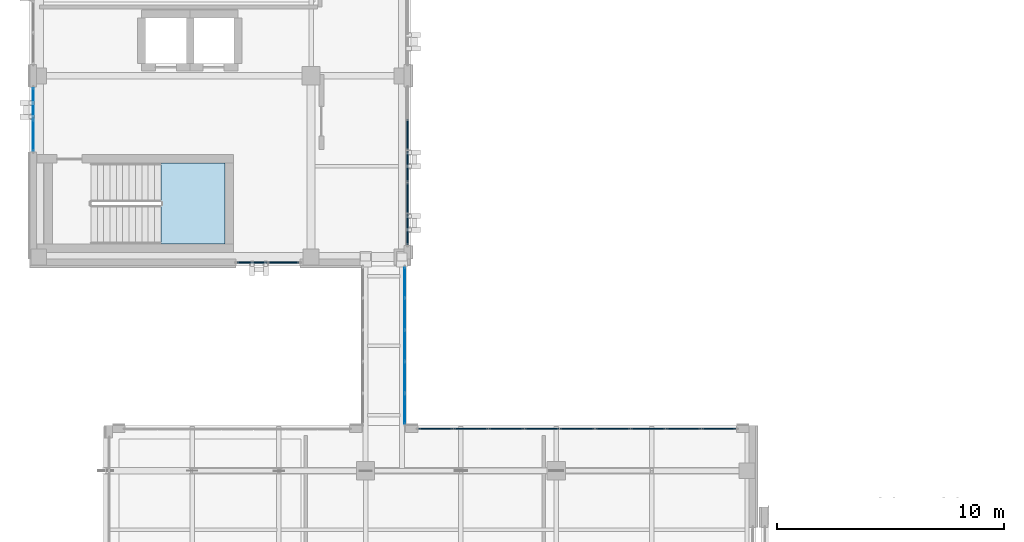
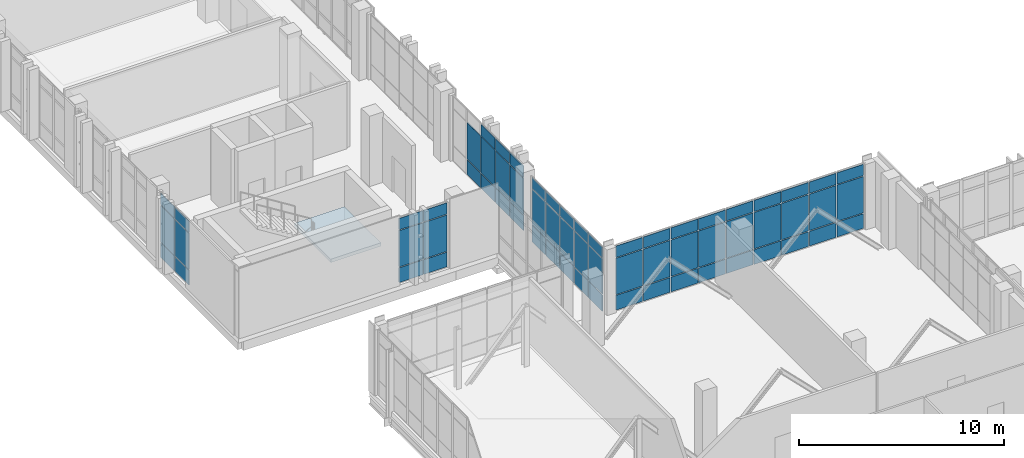
# One storey, part 134 of 193: 65 plates, 1 slab, 6 elements without a shape of their own.
"""IFC4 building model written with IfcOpenShell, lengths in metres."""

from ifc_helpers import new_model, si_unit, direction, frame, origin, origin_2d, place, context, subcontext, project, spatial, polyline, rectangle, outline, extrude, material, layer, layer_set, type_object, element, aggregate, save


model = new_model("IFC4")

# Units and contexts
model_context = context("Model", 3, precision=1e-05, world=origin(), true_north=direction((0.0, 1.0)))
body_context = subcontext(model_context, "Body", "Model", "MODEL_VIEW")
ifc_project = project(units=[si_unit("LENGTHUNIT", "METRE"), si_unit("AREAUNIT", "SQUARE_METRE"), si_unit("VOLUMEUNIT", "CUBIC_METRE"), si_unit("PLANEANGLEUNIT", "RADIAN"), si_unit("MASSUNIT", "GRAM", prefix="KILO")], contexts=[model_context])

# Site, building, storey
site_placement = place(None, origin())
site = spatial("IfcSite", under=ifc_project, at=site_placement, CompositionType="ELEMENT")
building_placement = place(site_placement, origin())
building = spatial("IfcBuilding", under=site, at=building_placement, Name="Qalavern Law Courts", CompositionType="ELEMENT")
storey_placement = place(building_placement, frame((0.0, 0.0, 10.199951171875)))
storey = spatial("IfcBuildingStorey", under=building, at=storey_placement, Name="L02", CompositionType="ELEMENT", Elevation=10.199951171875)

# Curtain wall, plates
ifc_material_1 = material(Name="Anodised aluminium and insulated glazing", Category="aluminium")
ifc_layer_1 = layer(ifc_material_1, 0.14990234375)
ifc_layer_set_1 = layer_set([ifc_layer_1], Name="Anodised aluminium and insulated glazing")
curtain_wall_type_1 = type_object("IfcCurtainWallType", Name="ENV-CW-BRG", PredefinedType="USERDEFINED", material=ifc_layer_set_1)
curtain_wall_1_placement = place(storey_placement, origin())
curtain_wall_1 = element("IfcCurtainWall", 1, at=curtain_wall_1_placement, inside=storey, type_object=curtain_wall_type_1, Name="Bridge BR-V1-V3 glazed curtain wall L02-2", ObjectType="UNITISED CURTAIN WALL", PredefinedType="USERDEFINED")
ifc_material_2 = material(Name="Insulated low-E acoustic glazing", Category="glass")
ifc_layer_2 = layer(ifc_material_2, 0.031982421875)
ifc_layer_set_2 = layer_set([ifc_layer_2], Name="Insulated low-E acoustic glazing")
plate_type_1 = type_object("IfcPlateType", Name="ENV-CWP-32", PredefinedType="CURTAIN_PANEL", material=ifc_layer_set_2)
plate_1_placement = place(storey_placement, frame((18.52490234375, 34.72998046875, 0.048095703125), z_axis=(0.0, 0.0, 1.0), x_axis=(0.0, 1.0, 0.0)))
plate_1 = element("IfcPlate", 2, at=plate_1_placement, type_object=plate_type_1, Name="CW-06 panel 1.1", PredefinedType="CURTAIN_PANEL", context=body_context, shape_type="SweptSolid", body=[
    extrude(rectangle(XDim=1.323974609375, YDim=0.031982421875, at=origin_2d()), origin(), (0.0, 0.0, 1.0), 0.97802734375),
])
plate_2_placement = place(storey_placement, frame((18.52490234375, 34.72998046875, 1.07421875), z_axis=(0.0, 0.0, 1.0), x_axis=(0.0, 1.0, 0.0)))
plate_2 = element("IfcPlate", 3, at=plate_2_placement, type_object=plate_type_1, Name="CW-06 panel 1.2", PredefinedType="CURTAIN_PANEL", context=body_context, shape_type="SweptSolid", body=[
    extrude(rectangle(XDim=1.323974609375, YDim=0.031982421875, at=origin_2d()), origin(), (0.0, 0.0, 1.0), 2.116943359375),
])
plate_3_placement = place(storey_placement, frame((18.52490234375, 34.72998046875, 3.239013671875), z_axis=(0.0, 0.0, 1.0), x_axis=(0.0, 1.0, 0.0)))
plate_3 = element("IfcPlate", 4, at=plate_3_placement, type_object=plate_type_1, Name="CW-06 panel 1.3", PredefinedType="CURTAIN_PANEL", context=body_context, shape_type="SweptSolid", body=[
    extrude(rectangle(XDim=1.323974609375, YDim=0.031982421875, at=origin_2d()), origin(), (0.0, 0.0, 1.0), 0.6279296875),
])
plate_4_placement = place(storey_placement, frame((18.52490234375, 36.114013671875, 0.048095703125), z_axis=(0.0, 0.0, 1.0), x_axis=(0.0, 1.0, 0.0)))
plate_4 = element("IfcPlate", 5, at=plate_4_placement, type_object=plate_type_1, Name="CW-06 panel 2.1", PredefinedType="CURTAIN_PANEL", context=body_context, shape_type="SweptSolid", body=[
    extrude(rectangle(XDim=1.347900390625, YDim=0.031982421875, at=origin_2d()), origin(), (0.0, 0.0, 1.0), 0.97802734375),
])
plate_5_placement = place(storey_placement, frame((18.52490234375, 36.114013671875, 1.07421875), z_axis=(0.0, 0.0, 1.0), x_axis=(0.0, 1.0, 0.0)))
plate_5 = element("IfcPlate", 6, at=plate_5_placement, type_object=plate_type_1, Name="CW-06 panel 2.2", PredefinedType="CURTAIN_PANEL", context=body_context, shape_type="SweptSolid", body=[
    extrude(rectangle(XDim=1.347900390625, YDim=0.031982421875, at=origin_2d()), origin(), (0.0, 0.0, 1.0), 2.116943359375),
])
plate_6_placement = place(storey_placement, frame((18.52490234375, 36.114013671875, 3.239013671875), z_axis=(0.0, 0.0, 1.0), x_axis=(0.0, 1.0, 0.0)))
plate_6 = element("IfcPlate", 7, at=plate_6_placement, type_object=plate_type_1, Name="CW-06 panel 2.3", PredefinedType="CURTAIN_PANEL", context=body_context, shape_type="SweptSolid", body=[
    extrude(rectangle(XDim=1.347900390625, YDim=0.031982421875, at=origin_2d()), origin(), (0.0, 0.0, 1.0), 0.6279296875),
])
plate_7_placement = place(storey_placement, frame((18.52490234375, 37.510009765625, 0.048095703125), z_axis=(0.0, 0.0, 1.0), x_axis=(0.0, 1.0, 0.0)))
plate_7 = element("IfcPlate", 8, at=plate_7_placement, type_object=plate_type_1, Name="CW-06 panel 3.1", PredefinedType="CURTAIN_PANEL", context=body_context, shape_type="SweptSolid", body=[
    extrude(rectangle(XDim=1.347900390625, YDim=0.031982421875, at=origin_2d()), origin(), (0.0, 0.0, 1.0), 0.97802734375),
])
plate_8_placement = place(storey_placement, frame((18.52490234375, 37.510009765625, 1.07421875), z_axis=(0.0, 0.0, 1.0), x_axis=(0.0, 1.0, 0.0)))
plate_8 = element("IfcPlate", 9, at=plate_8_placement, type_object=plate_type_1, Name="CW-06 panel 3.2", PredefinedType="CURTAIN_PANEL", context=body_context, shape_type="SweptSolid", body=[
    extrude(rectangle(XDim=1.347900390625, YDim=0.031982421875, at=origin_2d()), origin(), (0.0, 0.0, 1.0), 2.116943359375),
])
plate_9_placement = place(storey_placement, frame((18.52490234375, 37.510009765625, 3.239013671875), z_axis=(0.0, 0.0, 1.0), x_axis=(0.0, 1.0, 0.0)))
plate_9 = element("IfcPlate", 10, at=plate_9_placement, type_object=plate_type_1, Name="CW-06 panel 3.3", PredefinedType="CURTAIN_PANEL", context=body_context, shape_type="SweptSolid", body=[
    extrude(rectangle(XDim=1.347900390625, YDim=0.031982421875, at=origin_2d()), origin(), (0.0, 0.0, 1.0), 0.6279296875),
])
plate_10_placement = place(storey_placement, frame((18.52490234375, 38.906005859375, 0.048095703125), z_axis=(0.0, 0.0, 1.0), x_axis=(0.0, 1.0, 0.0)))
plate_10 = element("IfcPlate", 11, at=plate_10_placement, type_object=plate_type_1, Name="CW-06 panel 4.1", PredefinedType="CURTAIN_PANEL", context=body_context, shape_type="SweptSolid", body=[
    extrude(rectangle(XDim=1.347900390625, YDim=0.031982421875, at=origin_2d()), origin(), (0.0, 0.0, 1.0), 0.97802734375),
])
plate_11_placement = place(storey_placement, frame((18.52490234375, 38.906005859375, 1.07421875), z_axis=(0.0, 0.0, 1.0), x_axis=(0.0, 1.0, 0.0)))
plate_11 = element("IfcPlate", 12, at=plate_11_placement, type_object=plate_type_1, Name="CW-06 panel 4.2", PredefinedType="CURTAIN_PANEL", context=body_context, shape_type="SweptSolid", body=[
    extrude(rectangle(XDim=1.347900390625, YDim=0.031982421875, at=origin_2d()), origin(), (0.0, 0.0, 1.0), 2.116943359375),
])
plate_12_placement = place(storey_placement, frame((18.52490234375, 38.906005859375, 3.239013671875), z_axis=(0.0, 0.0, 1.0), x_axis=(0.0, 1.0, 0.0)))
plate_12 = element("IfcPlate", 13, at=plate_12_placement, type_object=plate_type_1, Name="CW-06 panel 4.3", PredefinedType="CURTAIN_PANEL", context=body_context, shape_type="SweptSolid", body=[
    extrude(rectangle(XDim=1.347900390625, YDim=0.031982421875, at=origin_2d()), origin(), (0.0, 0.0, 1.0), 0.6279296875),
])
plate_13_placement = place(storey_placement, frame((18.52490234375, 40.2900390625, 0.048095703125), z_axis=(0.0, 0.0, 1.0), x_axis=(0.0, 1.0, 0.0)))
plate_13 = element("IfcPlate", 14, at=plate_13_placement, type_object=plate_type_1, Name="CW-06 panel 5.1", PredefinedType="CURTAIN_PANEL", context=body_context, shape_type="SweptSolid", body=[
    extrude(rectangle(XDim=1.323974609375, YDim=0.031982421875, at=origin_2d()), origin(), (0.0, 0.0, 1.0), 0.97802734375),
])
plate_14_placement = place(storey_placement, frame((18.52490234375, 40.2900390625, 1.07421875), z_axis=(0.0, 0.0, 1.0), x_axis=(0.0, 1.0, 0.0)))
plate_14 = element("IfcPlate", 15, at=plate_14_placement, type_object=plate_type_1, Name="CW-06 panel 5.2", PredefinedType="CURTAIN_PANEL", context=body_context, shape_type="SweptSolid", body=[
    extrude(rectangle(XDim=1.323974609375, YDim=0.031982421875, at=origin_2d()), origin(), (0.0, 0.0, 1.0), 2.116943359375),
])
plate_15_placement = place(storey_placement, frame((18.52490234375, 40.2900390625, 3.239013671875), z_axis=(0.0, 0.0, 1.0), x_axis=(0.0, 1.0, 0.0)))
plate_15 = element("IfcPlate", 16, at=plate_15_placement, type_object=plate_type_1, Name="CW-06 panel 5.3", PredefinedType="CURTAIN_PANEL", context=body_context, shape_type="SweptSolid", body=[
    extrude(rectangle(XDim=1.323974609375, YDim=0.031982421875, at=origin_2d()), origin(), (0.0, 0.0, 1.0), 0.6279296875),
])
aggregate(curtain_wall_1, [plate_1, plate_2, plate_3, plate_4, plate_5, plate_6, plate_7, plate_8, plate_9, plate_10, plate_11, plate_12, plate_13, plate_14, plate_15])

ifc_layer_3 = layer(ifc_material_1, 0.172119140625)
ifc_layer_set_3 = layer_set([ifc_layer_3], Name="Anodised aluminium and insulated glazing")
curtain_wall_type_2 = type_object("IfcCurtainWallType", Name="ENV-CW-COURT", PredefinedType="USERDEFINED", material=ifc_layer_set_3)
curtain_wall_2_placement = place(storey_placement, origin())
curtain_wall_2 = element("IfcCurtainWall", 17, at=curtain_wall_2_placement, inside=storey, type_object=curtain_wall_type_2, Name="V3 unitised curtain wall L02 west 7", ObjectType="UNITISED CURTAIN WALL", PredefinedType="USERDEFINED")
ifc_layer_4 = layer(ifc_material_2, 0.0400390625)
ifc_layer_set_4 = layer_set([ifc_layer_4], Name="Insulated low-E acoustic glazing")
plate_type_2 = type_object("IfcPlateType", Name="ENV-CWP-40", PredefinedType="CURTAIN_PANEL", material=ifc_layer_set_4)
plate_16_placement = place(storey_placement, frame((2.155029296875, 48.175537109375, 0.048095703125), z_axis=(0.0, 0.0, 1.0), x_axis=(0.0, -1.0, 0.0)))
plate_16 = element("IfcPlate", 18, at=plate_16_placement, type_object=plate_type_2, Name="CW-03 panel 1.1", PredefinedType="CURTAIN_PANEL", context=body_context, shape_type="SweptSolid", body=[
    extrude(rectangle(XDim=1.35302734375, YDim=0.0400390625, at=origin_2d()), origin(), (0.0, 0.0, 1.0), 0.8779296875),
])
plate_17_placement = place(storey_placement, frame((2.155029296875, 48.175537109375, 0.97412109375), z_axis=(0.0, 0.0, 1.0), x_axis=(0.0, -1.0, 0.0)))
plate_17 = element("IfcPlate", 19, at=plate_17_placement, type_object=plate_type_2, Name="CW-03 panel 1.2", PredefinedType="CURTAIN_PANEL", context=body_context, shape_type="SweptSolid", body=[
    extrude(rectangle(XDim=1.35302734375, YDim=0.0400390625, at=origin_2d()), origin(), (0.0, 0.0, 1.0), 2.1669921875),
])
plate_18_placement = place(storey_placement, frame((2.155029296875, 48.175537109375, 3.18896484375), z_axis=(0.0, 0.0, 1.0), x_axis=(0.0, -1.0, 0.0)))
plate_18 = element("IfcPlate", 20, at=plate_18_placement, type_object=plate_type_2, Name="CW-03 panel 1.3", PredefinedType="CURTAIN_PANEL", context=body_context, shape_type="SweptSolid", body=[
    extrude(rectangle(XDim=1.35302734375, YDim=0.0400390625, at=origin_2d()), origin(), (0.0, 0.0, 1.0), 0.677978515625),
])
plate_19_placement = place(storey_placement, frame((2.155029296875, 46.7744140625, 0.048095703125), z_axis=(0.0, 0.0, 1.0), x_axis=(0.0, -1.0, 0.0)))
plate_19 = element("IfcPlate", 21, at=plate_19_placement, type_object=plate_type_2, Name="CW-03 panel 2.1", PredefinedType="CURTAIN_PANEL", context=body_context, shape_type="SweptSolid", body=[
    extrude(rectangle(XDim=1.35302734375, YDim=0.0400390625, at=origin_2d()), origin(), (0.0, 0.0, 1.0), 0.8779296875),
])
plate_20_placement = place(storey_placement, frame((2.155029296875, 46.7744140625, 0.97412109375), z_axis=(0.0, 0.0, 1.0), x_axis=(0.0, -1.0, 0.0)))
plate_20 = element("IfcPlate", 22, at=plate_20_placement, type_object=plate_type_2, Name="CW-03 panel 2.2", PredefinedType="CURTAIN_PANEL", context=body_context, shape_type="SweptSolid", body=[
    extrude(rectangle(XDim=1.35302734375, YDim=0.0400390625, at=origin_2d()), origin(), (0.0, 0.0, 1.0), 2.1669921875),
])
plate_21_placement = place(storey_placement, frame((2.155029296875, 46.7744140625, 3.18896484375), z_axis=(0.0, 0.0, 1.0), x_axis=(0.0, -1.0, 0.0)))
plate_21 = element("IfcPlate", 23, at=plate_21_placement, type_object=plate_type_2, Name="CW-03 panel 2.3", PredefinedType="CURTAIN_PANEL", context=body_context, shape_type="SweptSolid", body=[
    extrude(rectangle(XDim=1.35302734375, YDim=0.0400390625, at=origin_2d()), origin(), (0.0, 0.0, 1.0), 0.677978515625),
])
aggregate(curtain_wall_2, [plate_16, plate_17, plate_18, plate_19, plate_20, plate_21])

ifc_layer_5 = layer(ifc_material_1, 0.199951171875)
ifc_layer_set_5 = layer_set([ifc_layer_5], Name="Anodised aluminium and insulated glazing")
curtain_wall_type_3 = type_object("IfcCurtainWallType", Name="ENV-CW-FOYER", PredefinedType="USERDEFINED", material=ifc_layer_set_5)
curtain_wall_3_placement = place(storey_placement, origin())
curtain_wall_3 = element("IfcCurtainWall", 24, at=curtain_wall_3_placement, inside=storey, type_object=curtain_wall_type_3, Name="V1 unitised curtain wall L02 north 1", ObjectType="UNITISED CURTAIN WALL", PredefinedType="USERDEFINED")
ifc_layer_6 = layer(ifc_material_2, 0.048095703125)
ifc_layer_set_6 = layer_set([ifc_layer_6], Name="Insulated low-E acoustic glazing")
plate_type_3 = type_object("IfcPlateType", Name="ENV-CWP-48", PredefinedType="CURTAIN_PANEL", material=ifc_layer_set_6)
plate_22_placement = place(storey_placement, frame((32.352783203125, 33.844970703125, 0.048095703125), z_axis=(0.0, 0.0, 1.0), x_axis=(-1.0, 0.0, 0.0)))
plate_22 = element("IfcPlate", 25, at=plate_22_placement, type_object=plate_type_3, Name="CW-01 panel 1.1", PredefinedType="CURTAIN_PANEL", context=body_context, shape_type="SweptSolid", body=[
    extrude(rectangle(XDim=1.488525390625, YDim=0.048095703125, at=origin_2d()), origin(), (0.0, 0.0, 1.0), 0.8779296875),
])
plate_23_placement = place(storey_placement, frame((32.352783203125, 33.844970703125, 0.97412109375), z_axis=(0.0, 0.0, 1.0), x_axis=(-1.0, 0.0, 0.0)))
plate_23 = element("IfcPlate", 26, at=plate_23_placement, type_object=plate_type_3, Name="CW-01 panel 1.2", PredefinedType="CURTAIN_PANEL", context=body_context, shape_type="SweptSolid", body=[
    extrude(rectangle(XDim=1.488525390625, YDim=0.048095703125, at=origin_2d()), origin(), (0.0, 0.0, 1.0), 2.1669921875),
])
plate_24_placement = place(storey_placement, frame((32.352783203125, 33.844970703125, 3.18896484375), z_axis=(0.0, 0.0, 1.0), x_axis=(-1.0, 0.0, 0.0)))
plate_24 = element("IfcPlate", 27, at=plate_24_placement, type_object=plate_type_3, Name="CW-01 panel 1.3", PredefinedType="CURTAIN_PANEL", context=body_context, shape_type="SweptSolid", body=[
    extrude(rectangle(XDim=1.488525390625, YDim=0.048095703125, at=origin_2d()), origin(), (0.0, 0.0, 1.0), 0.677978515625),
])
plate_25_placement = place(storey_placement, frame((30.80419921875, 33.844970703125, 0.048095703125), z_axis=(0.0, 0.0, 1.0), x_axis=(-1.0, 0.0, 0.0)))
plate_25 = element("IfcPlate", 28, at=plate_25_placement, type_object=plate_type_3, Name="CW-01 panel 2.1", PredefinedType="CURTAIN_PANEL", context=body_context, shape_type="SweptSolid", body=[
    extrude(rectangle(XDim=1.512451171875, YDim=0.048095703125, at=origin_2d()), origin(), (0.0, 0.0, 1.0), 0.8779296875),
])
plate_26_placement = place(storey_placement, frame((30.80419921875, 33.844970703125, 0.97412109375), z_axis=(0.0, 0.0, 1.0), x_axis=(-1.0, 0.0, 0.0)))
plate_26 = element("IfcPlate", 29, at=plate_26_placement, type_object=plate_type_3, Name="CW-01 panel 2.2", PredefinedType="CURTAIN_PANEL", context=body_context, shape_type="SweptSolid", body=[
    extrude(rectangle(XDim=1.512451171875, YDim=0.048095703125, at=origin_2d()), origin(), (0.0, 0.0, 1.0), 2.1669921875),
])
plate_27_placement = place(storey_placement, frame((30.80419921875, 33.844970703125, 3.18896484375), z_axis=(0.0, 0.0, 1.0), x_axis=(-1.0, 0.0, 0.0)))
plate_27 = element("IfcPlate", 30, at=plate_27_placement, type_object=plate_type_3, Name="CW-01 panel 2.3", PredefinedType="CURTAIN_PANEL", context=body_context, shape_type="SweptSolid", body=[
    extrude(rectangle(XDim=1.512451171875, YDim=0.048095703125, at=origin_2d()), origin(), (0.0, 0.0, 1.0), 0.677978515625),
])
plate_28_placement = place(storey_placement, frame((29.24365234375, 33.844970703125, 0.048095703125), z_axis=(0.0, 0.0, 1.0), x_axis=(-1.0, 0.0, 0.0)))
plate_28 = element("IfcPlate", 31, at=plate_28_placement, type_object=plate_type_3, Name="CW-01 panel 3.1", PredefinedType="CURTAIN_PANEL", context=body_context, shape_type="SweptSolid", body=[
    extrude(rectangle(XDim=1.512451171875, YDim=0.048095703125, at=origin_2d()), origin(), (0.0, 0.0, 1.0), 0.8779296875),
])
plate_29_placement = place(storey_placement, frame((29.24365234375, 33.844970703125, 0.97412109375), z_axis=(0.0, 0.0, 1.0), x_axis=(-1.0, 0.0, 0.0)))
plate_29 = element("IfcPlate", 32, at=plate_29_placement, type_object=plate_type_3, Name="CW-01 panel 3.2", PredefinedType="CURTAIN_PANEL", context=body_context, shape_type="SweptSolid", body=[
    extrude(rectangle(XDim=1.512451171875, YDim=0.048095703125, at=origin_2d()), origin(), (0.0, 0.0, 1.0), 2.1669921875),
])
plate_30_placement = place(storey_placement, frame((29.24365234375, 33.844970703125, 3.18896484375), z_axis=(0.0, 0.0, 1.0), x_axis=(-1.0, 0.0, 0.0)))
plate_30 = element("IfcPlate", 33, at=plate_30_placement, type_object=plate_type_3, Name="CW-01 panel 3.3", PredefinedType="CURTAIN_PANEL", context=body_context, shape_type="SweptSolid", body=[
    extrude(rectangle(XDim=1.512451171875, YDim=0.048095703125, at=origin_2d()), origin(), (0.0, 0.0, 1.0), 0.677978515625),
])
plate_31_placement = place(storey_placement, frame((27.68310546875, 33.844970703125, 0.048095703125), z_axis=(0.0, 0.0, 1.0), x_axis=(-1.0, 0.0, 0.0)))
plate_31 = element("IfcPlate", 34, at=plate_31_placement, type_object=plate_type_3, Name="CW-01 panel 4.1", PredefinedType="CURTAIN_PANEL", context=body_context, shape_type="SweptSolid", body=[
    extrude(rectangle(XDim=1.512451171875, YDim=0.048095703125, at=origin_2d()), origin(), (0.0, 0.0, 1.0), 0.8779296875),
])
plate_32_placement = place(storey_placement, frame((27.68310546875, 33.844970703125, 0.97412109375), z_axis=(0.0, 0.0, 1.0), x_axis=(-1.0, 0.0, 0.0)))
plate_32 = element("IfcPlate", 35, at=plate_32_placement, type_object=plate_type_3, Name="CW-01 panel 4.2", PredefinedType="CURTAIN_PANEL", context=body_context, shape_type="SweptSolid", body=[
    extrude(rectangle(XDim=1.512451171875, YDim=0.048095703125, at=origin_2d()), origin(), (0.0, 0.0, 1.0), 2.1669921875),
])
plate_33_placement = place(storey_placement, frame((27.68310546875, 33.844970703125, 3.18896484375), z_axis=(0.0, 0.0, 1.0), x_axis=(-1.0, 0.0, 0.0)))
plate_33 = element("IfcPlate", 36, at=plate_33_placement, type_object=plate_type_3, Name="CW-01 panel 4.3", PredefinedType="CURTAIN_PANEL", context=body_context, shape_type="SweptSolid", body=[
    extrude(rectangle(XDim=1.512451171875, YDim=0.048095703125, at=origin_2d()), origin(), (0.0, 0.0, 1.0), 0.677978515625),
])
plate_34_placement = place(storey_placement, frame((26.12255859375, 33.844970703125, 0.048095703125), z_axis=(0.0, 0.0, 1.0), x_axis=(-1.0, 0.0, 0.0)))
plate_34 = element("IfcPlate", 37, at=plate_34_placement, type_object=plate_type_3, Name="CW-01 panel 5.1", PredefinedType="CURTAIN_PANEL", context=body_context, shape_type="SweptSolid", body=[
    extrude(rectangle(XDim=1.512451171875, YDim=0.048095703125, at=origin_2d()), origin(), (0.0, 0.0, 1.0), 0.8779296875),
])
plate_35_placement = place(storey_placement, frame((26.12255859375, 33.844970703125, 0.97412109375), z_axis=(0.0, 0.0, 1.0), x_axis=(-1.0, 0.0, 0.0)))
plate_35 = element("IfcPlate", 38, at=plate_35_placement, type_object=plate_type_3, Name="CW-01 panel 5.2", PredefinedType="CURTAIN_PANEL", context=body_context, shape_type="SweptSolid", body=[
    extrude(rectangle(XDim=1.512451171875, YDim=0.048095703125, at=origin_2d()), origin(), (0.0, 0.0, 1.0), 2.1669921875),
])
plate_36_placement = place(storey_placement, frame((26.12255859375, 33.844970703125, 3.18896484375), z_axis=(0.0, 0.0, 1.0), x_axis=(-1.0, 0.0, 0.0)))
plate_36 = element("IfcPlate", 39, at=plate_36_placement, type_object=plate_type_3, Name="CW-01 panel 5.3", PredefinedType="CURTAIN_PANEL", context=body_context, shape_type="SweptSolid", body=[
    extrude(rectangle(XDim=1.512451171875, YDim=0.048095703125, at=origin_2d()), origin(), (0.0, 0.0, 1.0), 0.677978515625),
])
plate_37_placement = place(storey_placement, frame((24.56201171875, 33.844970703125, 0.048095703125), z_axis=(0.0, 0.0, 1.0), x_axis=(-1.0, 0.0, 0.0)))
plate_37 = element("IfcPlate", 40, at=plate_37_placement, type_object=plate_type_3, Name="CW-01 panel 6.1", PredefinedType="CURTAIN_PANEL", context=body_context, shape_type="SweptSolid", body=[
    extrude(rectangle(XDim=1.512451171875, YDim=0.048095703125, at=origin_2d()), origin(), (0.0, 0.0, 1.0), 0.8779296875),
])
plate_38_placement = place(storey_placement, frame((24.56201171875, 33.844970703125, 0.97412109375), z_axis=(0.0, 0.0, 1.0), x_axis=(-1.0, 0.0, 0.0)))
plate_38 = element("IfcPlate", 41, at=plate_38_placement, type_object=plate_type_3, Name="CW-01 panel 6.2", PredefinedType="CURTAIN_PANEL", context=body_context, shape_type="SweptSolid", body=[
    extrude(rectangle(XDim=1.512451171875, YDim=0.048095703125, at=origin_2d()), origin(), (0.0, 0.0, 1.0), 2.1669921875),
])
plate_39_placement = place(storey_placement, frame((24.56201171875, 33.844970703125, 3.18896484375), z_axis=(0.0, 0.0, 1.0), x_axis=(-1.0, 0.0, 0.0)))
plate_39 = element("IfcPlate", 42, at=plate_39_placement, type_object=plate_type_3, Name="CW-01 panel 6.3", PredefinedType="CURTAIN_PANEL", context=body_context, shape_type="SweptSolid", body=[
    extrude(rectangle(XDim=1.512451171875, YDim=0.048095703125, at=origin_2d()), origin(), (0.0, 0.0, 1.0), 0.677978515625),
])
plate_40_placement = place(storey_placement, frame((23.00146484375, 33.844970703125, 0.048095703125), z_axis=(0.0, 0.0, 1.0), x_axis=(-1.0, 0.0, 0.0)))
plate_40 = element("IfcPlate", 43, at=plate_40_placement, type_object=plate_type_3, Name="CW-01 panel 7.1", PredefinedType="CURTAIN_PANEL", context=body_context, shape_type="SweptSolid", body=[
    extrude(rectangle(XDim=1.512451171875, YDim=0.048095703125, at=origin_2d()), origin(), (0.0, 0.0, 1.0), 0.8779296875),
])
plate_41_placement = place(storey_placement, frame((23.00146484375, 33.844970703125, 0.97412109375), z_axis=(0.0, 0.0, 1.0), x_axis=(-1.0, 0.0, 0.0)))
plate_41 = element("IfcPlate", 44, at=plate_41_placement, type_object=plate_type_3, Name="CW-01 panel 7.2", PredefinedType="CURTAIN_PANEL", context=body_context, shape_type="SweptSolid", body=[
    extrude(rectangle(XDim=1.512451171875, YDim=0.048095703125, at=origin_2d()), origin(), (0.0, 0.0, 1.0), 2.1669921875),
])
plate_42_placement = place(storey_placement, frame((23.00146484375, 33.844970703125, 3.18896484375), z_axis=(0.0, 0.0, 1.0), x_axis=(-1.0, 0.0, 0.0)))
plate_42 = element("IfcPlate", 45, at=plate_42_placement, type_object=plate_type_3, Name="CW-01 panel 7.3", PredefinedType="CURTAIN_PANEL", context=body_context, shape_type="SweptSolid", body=[
    extrude(rectangle(XDim=1.512451171875, YDim=0.048095703125, at=origin_2d()), origin(), (0.0, 0.0, 1.0), 0.677978515625),
])
plate_43_placement = place(storey_placement, frame((21.44091796875, 33.844970703125, 0.048095703125), z_axis=(0.0, 0.0, 1.0), x_axis=(-1.0, 0.0, 0.0)))
plate_43 = element("IfcPlate", 46, at=plate_43_placement, type_object=plate_type_3, Name="CW-01 panel 8.1", PredefinedType="CURTAIN_PANEL", context=body_context, shape_type="SweptSolid", body=[
    extrude(rectangle(XDim=1.512451171875, YDim=0.048095703125, at=origin_2d()), origin(), (0.0, 0.0, 1.0), 0.8779296875),
])
plate_44_placement = place(storey_placement, frame((21.44091796875, 33.844970703125, 0.97412109375), z_axis=(0.0, 0.0, 1.0), x_axis=(-1.0, 0.0, 0.0)))
plate_44 = element("IfcPlate", 47, at=plate_44_placement, type_object=plate_type_3, Name="CW-01 panel 8.2", PredefinedType="CURTAIN_PANEL", context=body_context, shape_type="SweptSolid", body=[
    extrude(rectangle(XDim=1.512451171875, YDim=0.048095703125, at=origin_2d()), origin(), (0.0, 0.0, 1.0), 2.1669921875),
])
plate_45_placement = place(storey_placement, frame((21.44091796875, 33.844970703125, 3.18896484375), z_axis=(0.0, 0.0, 1.0), x_axis=(-1.0, 0.0, 0.0)))
plate_45 = element("IfcPlate", 48, at=plate_45_placement, type_object=plate_type_3, Name="CW-01 panel 8.3", PredefinedType="CURTAIN_PANEL", context=body_context, shape_type="SweptSolid", body=[
    extrude(rectangle(XDim=1.512451171875, YDim=0.048095703125, at=origin_2d()), origin(), (0.0, 0.0, 1.0), 0.677978515625),
])
plate_46_placement = place(storey_placement, frame((19.892333984375, 33.844970703125, 0.048095703125), z_axis=(0.0, 0.0, 1.0), x_axis=(-1.0, 0.0, 0.0)))
plate_46 = element("IfcPlate", 49, at=plate_46_placement, type_object=plate_type_3, Name="CW-01 panel 9.1", PredefinedType="CURTAIN_PANEL", context=body_context, shape_type="SweptSolid", body=[
    extrude(rectangle(XDim=1.488525390625, YDim=0.048095703125, at=origin_2d()), origin(), (0.0, 0.0, 1.0), 0.8779296875),
])
plate_47_placement = place(storey_placement, frame((19.892333984375, 33.844970703125, 0.97412109375), z_axis=(0.0, 0.0, 1.0), x_axis=(-1.0, 0.0, 0.0)))
plate_47 = element("IfcPlate", 50, at=plate_47_placement, type_object=plate_type_3, Name="CW-01 panel 9.2", PredefinedType="CURTAIN_PANEL", context=body_context, shape_type="SweptSolid", body=[
    extrude(rectangle(XDim=1.488525390625, YDim=0.048095703125, at=origin_2d()), origin(), (0.0, 0.0, 1.0), 2.1669921875),
])
plate_48_placement = place(storey_placement, frame((19.892333984375, 33.844970703125, 3.18896484375), z_axis=(0.0, 0.0, 1.0), x_axis=(-1.0, 0.0, 0.0)))
plate_48 = element("IfcPlate", 51, at=plate_48_placement, type_object=plate_type_3, Name="CW-01 panel 9.3", PredefinedType="CURTAIN_PANEL", context=body_context, shape_type="SweptSolid", body=[
    extrude(rectangle(XDim=1.488525390625, YDim=0.048095703125, at=origin_2d()), origin(), (0.0, 0.0, 1.0), 0.677978515625),
])
aggregate(curtain_wall_3, [plate_22, plate_23, plate_24, plate_25, plate_26, plate_27, plate_28, plate_29, plate_30, plate_31, plate_32, plate_33, plate_34, plate_35, plate_36, plate_37, plate_38, plate_39, plate_40, plate_41, plate_42, plate_43, plate_44, plate_45, plate_46, plate_47, plate_48])

curtain_wall_4_placement = place(storey_placement, origin())
curtain_wall_4 = element("IfcCurtainWall", 52, at=curtain_wall_4_placement, inside=storey, type_object=curtain_wall_type_2, Name="V3 unitised curtain wall L02 south 1", ObjectType="UNITISED CURTAIN WALL", PredefinedType="USERDEFINED")
plate_49_placement = place(storey_placement, frame((11.81201171875, 41.175048828125, 0.048095703125), z_axis=(0.0, 0.0, 1.0), x_axis=(1.0, 0.0, 0.0)))
plate_49 = element("IfcPlate", 53, at=plate_49_placement, type_object=plate_type_3, Name="CW-03 panel 1.1", PredefinedType="CURTAIN_PANEL", context=body_context, shape_type="SweptSolid", body=[
    extrude(rectangle(XDim=1.327880859375, YDim=0.048095703125, at=origin_2d()), origin(), (0.0, 0.0, 1.0), 0.8779296875),
])
plate_50_placement = place(storey_placement, frame((11.81201171875, 41.175048828125, 0.97412109375), z_axis=(0.0, 0.0, 1.0), x_axis=(1.0, 0.0, 0.0)))
plate_50 = element("IfcPlate", 54, at=plate_50_placement, type_object=plate_type_3, Name="CW-03 panel 1.2", PredefinedType="CURTAIN_PANEL", context=body_context, shape_type="SweptSolid", body=[
    extrude(rectangle(XDim=1.327880859375, YDim=0.048095703125, at=origin_2d()), origin(), (0.0, 0.0, 1.0), 2.1669921875),
])
plate_51_placement = place(storey_placement, frame((11.81201171875, 41.175048828125, 3.18896484375), z_axis=(0.0, 0.0, 1.0), x_axis=(1.0, 0.0, 0.0)))
plate_51 = element("IfcPlate", 55, at=plate_51_placement, type_object=plate_type_3, Name="CW-03 panel 1.3", PredefinedType="CURTAIN_PANEL", context=body_context, shape_type="SweptSolid", body=[
    extrude(rectangle(XDim=1.327880859375, YDim=0.048095703125, at=origin_2d()), origin(), (0.0, 0.0, 1.0), 0.677978515625),
])
plate_52_placement = place(storey_placement, frame((13.18798828125, 41.175048828125, 0.048095703125), z_axis=(0.0, 0.0, 1.0), x_axis=(1.0, 0.0, 0.0)))
plate_52 = element("IfcPlate", 56, at=plate_52_placement, type_object=plate_type_3, Name="CW-03 panel 2.1", PredefinedType="CURTAIN_PANEL", context=body_context, shape_type="SweptSolid", body=[
    extrude(rectangle(XDim=1.327880859375, YDim=0.048095703125, at=origin_2d()), origin(), (0.0, 0.0, 1.0), 0.8779296875),
])
plate_53_placement = place(storey_placement, frame((13.18798828125, 41.175048828125, 0.97412109375), z_axis=(0.0, 0.0, 1.0), x_axis=(1.0, 0.0, 0.0)))
plate_53 = element("IfcPlate", 57, at=plate_53_placement, type_object=plate_type_3, Name="CW-03 panel 2.2", PredefinedType="CURTAIN_PANEL", context=body_context, shape_type="SweptSolid", body=[
    extrude(rectangle(XDim=1.327880859375, YDim=0.048095703125, at=origin_2d()), origin(), (0.0, 0.0, 1.0), 2.1669921875),
])
plate_54_placement = place(storey_placement, frame((13.18798828125, 41.175048828125, 3.18896484375), z_axis=(0.0, 0.0, 1.0), x_axis=(1.0, 0.0, 0.0)))
plate_54 = element("IfcPlate", 58, at=plate_54_placement, type_object=plate_type_3, Name="CW-03 panel 2.3", PredefinedType="CURTAIN_PANEL", context=body_context, shape_type="SweptSolid", body=[
    extrude(rectangle(XDim=1.327880859375, YDim=0.048095703125, at=origin_2d()), origin(), (0.0, 0.0, 1.0), 0.677978515625),
])
aggregate(curtain_wall_4, [plate_49, plate_50, plate_51, plate_52, plate_53, plate_54])

curtain_wall_5_placement = place(storey_placement, origin())
curtain_wall_5 = element("IfcCurtainWall", 59, at=curtain_wall_5_placement, inside=storey, type_object=curtain_wall_type_2, Name="V3 unitised curtain wall L02 east 1", ObjectType="UNITISED CURTAIN WALL", PredefinedType="USERDEFINED")
plate_55_placement = place(storey_placement, frame((18.64501953125, 42.6298828125, 0.048095703125), z_axis=(0.0, 0.0, 1.0), x_axis=(0.0, 1.0, 0.0)))
plate_55 = element("IfcPlate", 60, at=plate_55_placement, type_object=plate_type_3, Name="CW-03 panel 1.1", PredefinedType="CURTAIN_PANEL", context=body_context, shape_type="SweptSolid", body=[
    extrude(rectangle(XDim=1.323974609375, YDim=0.048095703125, at=origin_2d()), origin(), (0.0, 0.0, 1.0), 0.8779296875),
])
plate_56_placement = place(storey_placement, frame((18.64501953125, 42.6298828125, 0.97412109375), z_axis=(0.0, 0.0, 1.0), x_axis=(0.0, 1.0, 0.0)))
plate_56 = element("IfcPlate", 61, at=plate_56_placement, type_object=plate_type_3, Name="CW-03 panel 1.2", PredefinedType="CURTAIN_PANEL", context=body_context, shape_type="SweptSolid", body=[
    extrude(rectangle(XDim=1.323974609375, YDim=0.048095703125, at=origin_2d()), origin(), (0.0, 0.0, 1.0), 2.1669921875),
])
plate_57_placement = place(storey_placement, frame((18.64501953125, 42.6298828125, 3.18896484375), z_axis=(0.0, 0.0, 1.0), x_axis=(0.0, 1.0, 0.0)))
plate_57 = element("IfcPlate", 62, at=plate_57_placement, type_object=plate_type_3, Name="CW-03 panel 1.3", PredefinedType="CURTAIN_PANEL", context=body_context, shape_type="SweptSolid", body=[
    extrude(rectangle(XDim=1.323974609375, YDim=0.048095703125, at=origin_2d()), origin(), (0.0, 0.0, 1.0), 0.677978515625),
])
plate_58_placement = place(storey_placement, frame((18.64501953125, 44.013916015625, 0.048095703125), z_axis=(0.0, 0.0, 1.0), x_axis=(0.0, 1.0, 0.0)))
plate_58 = element("IfcPlate", 63, at=plate_58_placement, type_object=plate_type_3, Name="CW-03 panel 2.1", PredefinedType="CURTAIN_PANEL", context=body_context, shape_type="SweptSolid", body=[
    extrude(rectangle(XDim=1.347900390625, YDim=0.048095703125, at=origin_2d()), origin(), (0.0, 0.0, 1.0), 0.8779296875),
])
plate_59_placement = place(storey_placement, frame((18.64501953125, 44.013916015625, 0.97412109375), z_axis=(0.0, 0.0, 1.0), x_axis=(0.0, 1.0, 0.0)))
plate_59 = element("IfcPlate", 64, at=plate_59_placement, type_object=plate_type_3, Name="CW-03 panel 2.2", PredefinedType="CURTAIN_PANEL", context=body_context, shape_type="SweptSolid", body=[
    extrude(rectangle(XDim=1.347900390625, YDim=0.048095703125, at=origin_2d()), origin(), (0.0, 0.0, 1.0), 2.1669921875),
])
plate_60_placement = place(storey_placement, frame((18.64501953125, 44.013916015625, 3.18896484375), z_axis=(0.0, 0.0, 1.0), x_axis=(0.0, 1.0, 0.0)))
plate_60 = element("IfcPlate", 65, at=plate_60_placement, type_object=plate_type_3, Name="CW-03 panel 2.3", PredefinedType="CURTAIN_PANEL", context=body_context, shape_type="SweptSolid", body=[
    extrude(rectangle(XDim=1.347900390625, YDim=0.048095703125, at=origin_2d()), origin(), (0.0, 0.0, 1.0), 0.677978515625),
])
plate_61_placement = place(storey_placement, frame((18.64501953125, 45.409912109375, 0.048095703125), z_axis=(0.0, 0.0, 1.0), x_axis=(0.0, 1.0, 0.0)))
plate_61 = element("IfcPlate", 66, at=plate_61_placement, type_object=plate_type_3, Name="CW-03 panel 3.1", PredefinedType="CURTAIN_PANEL", context=body_context, shape_type="SweptSolid", body=[
    extrude(rectangle(XDim=1.347900390625, YDim=0.048095703125, at=origin_2d()), origin(), (0.0, 0.0, 1.0), 0.8779296875),
])
plate_62_placement = place(storey_placement, frame((18.64501953125, 45.409912109375, 0.97412109375), z_axis=(0.0, 0.0, 1.0), x_axis=(0.0, 1.0, 0.0)))
plate_62 = element("IfcPlate", 67, at=plate_62_placement, type_object=plate_type_3, Name="CW-03 panel 3.2", PredefinedType="CURTAIN_PANEL", context=body_context, shape_type="SweptSolid", body=[
    extrude(rectangle(XDim=1.347900390625, YDim=0.048095703125, at=origin_2d()), origin(), (0.0, 0.0, 1.0), 2.1669921875),
])
plate_63_placement = place(storey_placement, frame((18.64501953125, 45.409912109375, 3.18896484375), z_axis=(0.0, 0.0, 1.0), x_axis=(0.0, 1.0, 0.0)))
plate_63 = element("IfcPlate", 68, at=plate_63_placement, type_object=plate_type_3, Name="CW-03 panel 3.3", PredefinedType="CURTAIN_PANEL", context=body_context, shape_type="SweptSolid", body=[
    extrude(rectangle(XDim=1.347900390625, YDim=0.048095703125, at=origin_2d()), origin(), (0.0, 0.0, 1.0), 0.677978515625),
])
plate_64_placement = place(storey_placement, frame((18.64501953125, 46.805908203125, 0.048095703125), z_axis=(0.0, 0.0, 1.0), x_axis=(0.0, 1.0, 0.0)))
plate_64 = element("IfcPlate", 69, at=plate_64_placement, type_object=plate_type_3, Name="CW-03 panel 4.1", PredefinedType="CURTAIN_PANEL", context=body_context, shape_type="SweptSolid", body=[
    extrude(rectangle(XDim=1.347900390625, YDim=0.048095703125, at=origin_2d()), origin(), (0.0, 0.0, 1.0), 0.8779296875),
])
plate_65_placement = place(storey_placement, frame((18.64501953125, 46.805908203125, 0.97412109375), z_axis=(0.0, 0.0, 1.0), x_axis=(0.0, 1.0, 0.0)))
plate_65 = element("IfcPlate", 70, at=plate_65_placement, type_object=plate_type_3, Name="CW-03 panel 4.2", PredefinedType="CURTAIN_PANEL", context=body_context, shape_type="SweptSolid", body=[
    extrude(rectangle(XDim=1.347900390625, YDim=0.048095703125, at=origin_2d()), origin(), (0.0, 0.0, 1.0), 2.1669921875),
])
aggregate(curtain_wall_5, [plate_55, plate_56, plate_57, plate_58, plate_59, plate_60, plate_61, plate_62, plate_63, plate_64, plate_65])

# Stair, slab
ifc_material_3 = material(Name="Concrete C35/45", Category="concrete")
stair_type = type_object("IfcStairType", Name="INT-STAIR-1700", PredefinedType="HALF_TURN_STAIR", material=ifc_material_3)
stair_placement = place(storey_placement, origin())
stair = element("IfcStair", 71, at=stair_placement, inside=storey, type_object=stair_type, Name="L02 ST-K2", PredefinedType="HALF_TURN_STAIR")
ifc_layer_7 = layer(ifc_material_3, 0.199951171875)
ifc_layer_set_7 = layer_set([ifc_layer_7], Name="Concrete C35/45")
slab_type = type_object("IfcSlabType", Name="INT-LANDING-200", PredefinedType="LANDING", material=ifc_layer_set_7)
slab_placement = place(storey_placement, frame((0.0, 0.0, 1.900146484375)))
slab = element("IfcSlab", 72, at=slab_placement, type_object=slab_type, Name="ST-K2 landing 1", PredefinedType="LANDING", context=body_context, shape_type="SweptSolid", body=[
    extrude(outline(polyline([(7.780029296875, 42.0), (10.60009765625, 42.0), (10.60009765625, 45.550048828125), (7.780029296875, 45.550048828125), (7.780029296875, 42.0)])), origin(), (0.0, 0.0, 1.0), 0.199951171875),
])
aggregate(stair, [slab])

save(model, "model.ifc")
